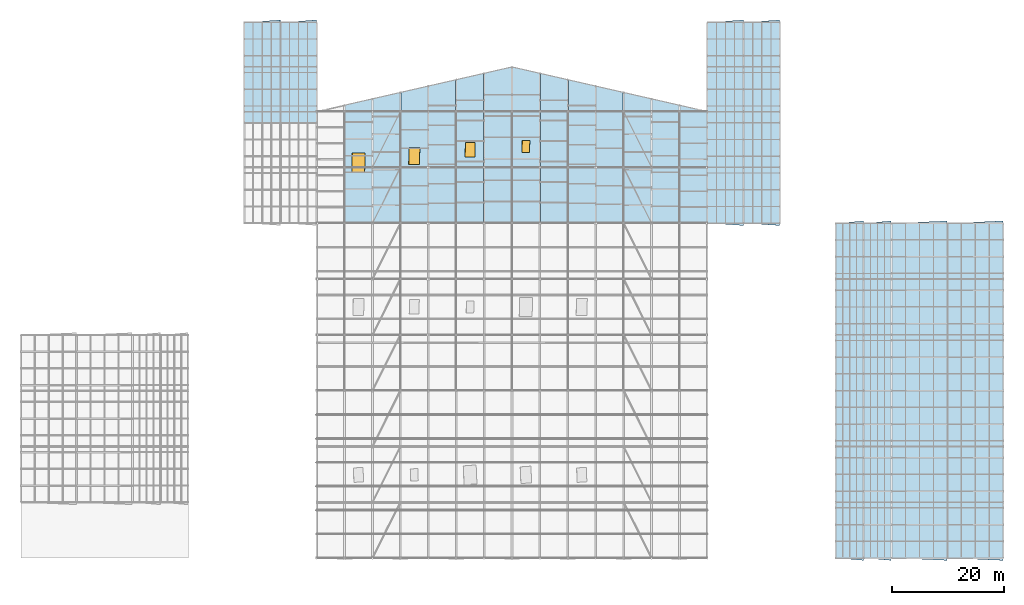
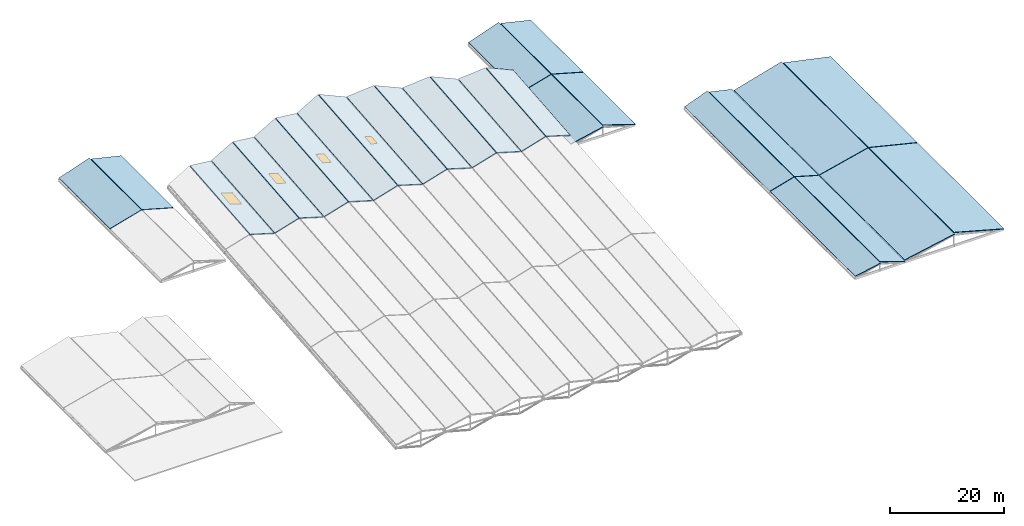
# One storey, part 75 of 90: 27 slabs, 4 windows, 4 openings.
"""IFC4 building model written with IfcOpenShell, lengths in metres."""

from ifc_helpers import new_model, si_unit, direction, frame, origin, origin_2d, place, context, subcontext, project, spatial, polyline, rectangle, outline, extrude, material, layer, layer_set, type_object, element, fill, save


model = new_model("IFC4")

# Units and contexts
model_context = context("Model", 3, precision=1e-05, world=origin(), true_north=direction((0.0, 1.0)))
body_context = subcontext(model_context, "Body", "Model", "MODEL_VIEW")
ifc_project = project(units=[si_unit("LENGTHUNIT", "METRE"), si_unit("AREAUNIT", "SQUARE_METRE"), si_unit("VOLUMEUNIT", "CUBIC_METRE"), si_unit("PLANEANGLEUNIT", "RADIAN"), si_unit("MASSUNIT", "GRAM", prefix="KILO"), si_unit("THERMODYNAMICTEMPERATUREUNIT", "KELVIN"), si_unit("POWERUNIT", "WATT")], contexts=[model_context])

# Site, building, storey
site_placement = place(None, origin())
site = spatial("IfcSite", under=ifc_project, at=site_placement, CompositionType="ELEMENT")
building_placement = place(site_placement, origin())
building = spatial("IfcBuilding", under=site, at=building_placement, Name="Korenveer Ferry Terminal", CompositionType="ELEMENT")
storey_placement = place(building_placement, frame((0.0, 0.0, 22.199951171875)))
storey = spatial("IfcBuildingStorey", under=building, at=storey_placement, Name="RF", CompositionType="ELEMENT", Elevation=22.199951171875)

# Slab, opening, window
ifc_material_1 = material(Name="Concrete C35/45", Category="concrete")
ifc_layer_1 = layer(ifc_material_1, 0.239990234375)
ifc_layer_set_1 = layer_set([ifc_layer_1], Name="Concrete C35/45")
slab_type_1 = type_object("IfcSlabType", Name="STR-SL-ROOF240", PredefinedType="ROOF", material=ifc_layer_set_1)
slab_1_placement = place(storey_placement, frame((58.080078125, 80.050048828125, -3.761962890625), z_axis=(0.287989825201, -0.086599278704, 0.953709822487), x_axis=(0.957306227117, 8.50172e-07, -0.289075747032)))
slab_1 = element("IfcSlab", 1, at=slab_1_placement, inside=storey, type_object=slab_type_1, Name="Folded prow roof facet RF-PROW-006", PredefinedType="ROOF", context=body_context, shape_type="SweptSolid", body=[
    extrude(outline(polyline([(0.0, 0.0), (5.055675309595425, -2.7755575615628914e-17), (4.472531869569035, 22.301061406232034), (-0.5541380005977825, 21.19069741929465), (0.0, 0.0)])), origin(), (0.0, 0.0, -1.0), 0.239990234375),
])
opening_1_placement = place(slab_1_placement, frame((2.243408203125, 10.872802734375, 0.010009765625)))
opening_1 = element("IfcOpeningElement", 2, at=opening_1_placement, cuts=slab_1, Name="Opening SK-04", PredefinedType="OPENING", context=body_context, shape_type="SweptSolid", body=[
    extrude(rectangle(XDim=2.39990234375, YDim=3.39990234375, at=origin_2d()), origin(), (0.0, 0.0, -1.0), 0.260009765625),
])
ifc_material_2 = material(Name="Insulated laminated roof skylight glazing", Category="glass")
window_type_1 = type_object("IfcWindowType", Name="ENV-SKY-04", PartitioningType="SINGLE_PANEL", PredefinedType="SKYLIGHT", material=ifc_material_2)
window_1_placement = place(slab_1_placement, frame((2.243408203125, 10.872802734375, -0.010009765625)))
window_1 = element("IfcWindow", 3, at=window_1_placement, inside=storey, type_object=window_type_1, Name="Folded roof clerestory skylight 3", OverallHeight=3.39990234375, OverallWidth=2.39990234375, PartitioningType="SINGLE_PANEL", PredefinedType="SKYLIGHT", context=body_context, shape_type="SweptSolid", body=[
    extrude(rectangle(XDim=2.39990234375, YDim=3.39990234375, at=origin_2d()), origin(), (0.0, 0.0, -1.0), 0.06005859375),
])
fill(opening_1, window_1)

# Slab
slab_2_placement = place(storey_placement, frame((63.080078125, 80.050048828125, -5.223388671875), z_axis=(-0.287969134829, -0.086598908662, 0.953716103672), x_axis=(0.957312454028, 1.022339e-06, 0.289055125126)))
element("IfcSlab", 4, at=slab_2_placement, inside=storey, type_object=slab_type_1, Name="Folded prow roof facet RF-PROW-011", PredefinedType="ROOF", context=body_context, shape_type="SweptSolid", body=[
    extrude(outline(polyline([(0.0, 0.0), (5.055675309486755, 1.3877787807814457e-17), (5.668812210989073, 23.448435490589546), (0.5841314596893544, 22.337828280163823), (0.0, 0.0)])), origin(), (0.0, 0.0, -1.0), 0.239990234375),
])

# Slab, opening, window
slab_3_placement = place(storey_placement, frame((68.080078125, 80.050048828125, -3.761962890625), z_axis=(0.287991720432, -0.086597888566, 0.953709376413), x_axis=(0.957305667474, 1.018441e-06, -0.289077600345)))
slab_3 = element("IfcSlab", 5, at=slab_3_placement, inside=storey, type_object=slab_type_1, Name="Folded prow roof facet RF-PROW-012", PredefinedType="ROOF", context=body_context, shape_type="SweptSolid", body=[
    extrude(outline(polyline([(0.0, 0.0), (5.055675309489428, -1.3877787807814457e-17), (4.412544949119782, 24.59556635154667), (-0.614124921364416, 23.48495914099895), (0.0, 0.0)])), origin(), (0.0, 0.0, -1.0), 0.239990234375),
])
opening_2_placement = place(slab_3_placement, frame((2.213623046875, 12.02001953125, 0.010009765625)))
opening_2 = element("IfcOpeningElement", 6, at=opening_2_placement, cuts=slab_3, Name="Opening SK-03", PredefinedType="OPENING", context=body_context, shape_type="SweptSolid", body=[
    extrude(rectangle(XDim=2.0, YDim=3.0, at=origin_2d()), origin(), (0.0, 0.0, -1.0), 0.260009765625),
])
window_type_2 = type_object("IfcWindowType", Name="ENV-SKY-03", PartitioningType="SINGLE_PANEL", PredefinedType="SKYLIGHT", material=ifc_material_2)
window_2_placement = place(slab_3_placement, frame((2.213623046875, 12.02001953125, -0.010009765625)))
window_2 = element("IfcWindow", 7, at=window_2_placement, inside=storey, type_object=window_type_2, Name="Folded roof clerestory skylight 6", OverallHeight=3.0, OverallWidth=2.0, PartitioningType="SINGLE_PANEL", PredefinedType="SKYLIGHT", context=body_context, shape_type="SweptSolid", body=[
    extrude(rectangle(XDim=2.0, YDim=3.0, at=origin_2d()), origin(), (0.0, 0.0, -1.0), 0.06005859375),
])
fill(opening_2, window_2)

# Slab
slab_4_placement = place(storey_placement, frame((73.080078125, 80.050048828125, -5.223388671875), z_axis=(-0.287969236205, -0.086598131064, 0.953716143669), x_axis=(0.957312429411, 1.014927e-06, 0.289055206655)))
element("IfcSlab", 8, at=slab_4_placement, inside=storey, type_object=slab_type_1, Name="Folded prow roof facet RF-PROW-017", PredefinedType="ROOF", context=body_context, shape_type="SweptSolid", body=[
    extrude(outline(polyline([(0.0, 0.0), (5.055675309491839, 0.0), (5.728799131526367, 25.742697212431974), (0.6441183802419287, 24.632090001913152), (0.0, 0.0)])), origin(), (0.0, 0.0, -1.0), 0.239990234375),
])

# Slab, opening, window
slab_5_placement = place(storey_placement, frame((78.080078125, 80.050048828125, -3.761962890625), z_axis=(0.287989628411, -0.086596840109, 0.953710103339), x_axis=(0.957306304751, 8.26804e-07, -0.289075489939)))
slab_5 = element("IfcSlab", 9, at=slab_5_placement, inside=storey, type_object=slab_type_1, Name="Folded prow roof facet RF-PROW-018", PredefinedType="ROOF", context=body_context, shape_type="SweptSolid", body=[
    extrude(outline(polyline([(0.0, 0.0), (5.0556753096086195, 1.3877787807814457e-17), (4.352558028474142, 26.88982807340707), (-0.6741118416531612, 25.77946408623073), (0.0, 0.0)])), origin(), (0.0, 0.0, -1.0), 0.239990234375),
])
opening_3_placement = place(slab_5_placement, frame((2.18359375, 13.16748046875, 0.010009765625)))
opening_3 = element("IfcOpeningElement", 10, at=opening_3_placement, cuts=slab_5, Name="Opening SK-02", PredefinedType="OPENING", context=body_context, shape_type="SweptSolid", body=[
    extrude(rectangle(XDim=1.800048828125, YDim=2.60009765625, at=origin_2d()), origin(), (0.0, 0.0, -1.0), 0.260009765625),
])
window_type_3 = type_object("IfcWindowType", Name="ENV-SKY-02", PartitioningType="SINGLE_PANEL", PredefinedType="SKYLIGHT", material=ifc_material_2)
window_3_placement = place(slab_5_placement, frame((2.18359375, 13.16748046875, -0.010009765625)))
window_3 = element("IfcWindow", 11, at=window_3_placement, inside=storey, type_object=window_type_3, Name="Folded roof clerestory skylight 9", OverallHeight=2.60009765625, OverallWidth=1.800048828125, PartitioningType="SINGLE_PANEL", PredefinedType="SKYLIGHT", context=body_context, shape_type="SweptSolid", body=[
    extrude(rectangle(XDim=1.800048828125, YDim=2.60009765625, at=origin_2d()), origin(), (0.0, 0.0, -1.0), 0.06005859375),
])
fill(opening_3, window_3)

# Slab
slab_6_placement = place(storey_placement, frame((83.080078125, 80.050048828125, -5.223388671875), z_axis=(-0.28797137378, -0.086597044523, 0.953715596896), x_axis=(0.957311794617, 8.24022e-07, 0.289057308999)))
element("IfcSlab", 12, at=slab_6_placement, inside=storey, type_object=slab_type_1, Name="Folded prow roof facet RF-PROW-023", PredefinedType="ROOF", context=body_context, shape_type="SweptSolid", body=[
    extrude(outline(polyline([(0.0, 0.0), (5.055675309610169, 0.0), (5.788786051933871, 28.036958934306064), (0.7041053010051046, 26.926594947149496), (0.0, 0.0)])), origin(), (0.0, 0.0, -1.0), 0.239990234375),
])

# Slab, opening, window
slab_7_placement = place(storey_placement, frame((88.080078125, 80.050048828125, -3.761962890625), z_axis=(0.28797137378, -0.086597044523, 0.953715596896), x_axis=(0.957311794617, -8.24022e-07, -0.289057308999)))
slab_7 = element("IfcSlab", 13, at=slab_7_placement, inside=storey, type_object=slab_type_1, Name="Folded prow roof facet RF-PROW-024", PredefinedType="ROOF", context=body_context, shape_type="SweptSolid", body=[
    extrude(outline(polyline([(0.0, 0.0), (5.055675309610169, 0.0), (4.351570008605065, 26.926594947149496), (-0.7331107423237022, 28.036958934306064), (0.0, 0.0)])), origin(), (0.0, 0.0, -1.0), 0.239990234375),
])
opening_4_placement = place(slab_7_placement, frame((2.16845703125, 13.740478515625, 0.010009765625)))
opening_4 = element("IfcOpeningElement", 14, at=opening_4_placement, cuts=slab_7, Name="Opening SK-01", PredefinedType="OPENING", context=body_context, shape_type="SweptSolid", body=[
    extrude(rectangle(XDim=1.39990234375, YDim=2.199951171875, at=origin_2d()), origin(), (0.0, 0.0, -1.0), 0.260009765625),
])
window_type_4 = type_object("IfcWindowType", Name="ENV-SKY-01", PartitioningType="SINGLE_PANEL", PredefinedType="SKYLIGHT", material=ifc_material_2)
window_4_placement = place(slab_7_placement, frame((2.16845703125, 13.740478515625, -0.010009765625)))
window_4 = element("IfcWindow", 15, at=window_4_placement, inside=storey, type_object=window_type_4, Name="Folded roof clerestory skylight 12", OverallHeight=2.199951171875, OverallWidth=1.39990234375, PartitioningType="SINGLE_PANEL", PredefinedType="SKYLIGHT", context=body_context, shape_type="SweptSolid", body=[
    extrude(rectangle(XDim=1.39990234375, YDim=2.199951171875, at=origin_2d()), origin(), (0.0, 0.0, -1.0), 0.06005859375),
])
fill(opening_4, window_4)

# Slabs
slab_8_placement = place(storey_placement, frame((93.080078125, 80.050048828125, -5.223388671875), z_axis=(-0.287989628411, -0.086596840109, 0.953710103339), x_axis=(0.957306304751, -8.26804e-07, 0.289075489939)))
element("IfcSlab", 16, at=slab_8_placement, inside=storey, type_object=slab_type_1, Name="Folded prow roof facet RF-PROW-029", PredefinedType="ROOF", context=body_context, shape_type="SweptSolid", body=[
    extrude(outline(polyline([(0.0, 0.0), (5.0556753096086195, -1.3877787807814457e-17), (5.729787151261781, 25.77946408623073), (0.7031172811344775, 26.889828073407074), (0.0, 0.0)])), origin(), (0.0, 0.0, -1.0), 0.239990234375),
])
slab_9_placement = place(storey_placement, frame((98.080078125, 80.050048828125, -3.761962890625), z_axis=(0.287969236205, -0.086598131064, 0.953716143669), x_axis=(0.957312429411, -1.014927e-06, -0.289055206655)))
element("IfcSlab", 17, at=slab_9_placement, inside=storey, type_object=slab_type_1, Name="Folded prow roof facet RF-PROW-030", PredefinedType="ROOF", context=body_context, shape_type="SweptSolid", body=[
    extrude(outline(polyline([(0.0, 0.0), (5.055675309491839, 0.0), (4.411556929249911, 24.632090001913152), (-0.6731238220345284, 25.742697212431974), (0.0, 0.0)])), origin(), (0.0, 0.0, -1.0), 0.239990234375),
])
slab_10_placement = place(storey_placement, frame((103.080078125, 80.050048828125, -5.223388671875), z_axis=(-0.287991720432, -0.086597888566, 0.953709376413), x_axis=(0.957305667474, -1.018441e-06, 0.289077600345)))
element("IfcSlab", 18, at=slab_10_placement, inside=storey, type_object=slab_type_1, Name="Folded prow roof facet RF-PROW-035", PredefinedType="ROOF", context=body_context, shape_type="SweptSolid", body=[
    extrude(outline(polyline([(0.0, 0.0), (5.055675309489428, 1.3877787807814457e-17), (5.669800230853844, 23.48495914099895), (0.6431303603696464, 24.59556635154667), (0.0, 0.0)])), origin(), (0.0, 0.0, -1.0), 0.239990234375),
])
slab_11_placement = place(storey_placement, frame((108.080078125, 80.050048828125, -3.761962890625), z_axis=(0.287969134829, -0.086598908662, 0.953716103672), x_axis=(0.957312454028, -1.022339e-06, -0.289055125126)))
element("IfcSlab", 19, at=slab_11_placement, inside=storey, type_object=slab_type_1, Name="Folded prow roof facet RF-PROW-036", PredefinedType="ROOF", context=body_context, shape_type="SweptSolid", body=[
    extrude(outline(polyline([(0.0, 0.0), (5.055675309486755, -1.3877787807814457e-17), (4.471543849797401, 22.337828280163823), (-0.6131369015023181, 23.448435490589542), (0.0, 0.0)])), origin(), (0.0, 0.0, -1.0), 0.239990234375),
])
slab_12_placement = place(storey_placement, frame((113.080078125, 80.050048828125, -5.223388671875), z_axis=(-0.287989825201, -0.086599278704, 0.953709822487), x_axis=(0.957306227117, -8.50172e-07, 0.289075747032)))
element("IfcSlab", 20, at=slab_12_placement, inside=storey, type_object=slab_type_1, Name="Folded prow roof facet RF-PROW-041", PredefinedType="ROOF", context=body_context, shape_type="SweptSolid", body=[
    extrude(outline(polyline([(0.0, 0.0), (5.055675309595425, 2.7755575615628914e-17), (5.609813310193207, 21.19069741929465), (0.5831434400263901, 22.301061406232034), (0.0, 0.0)])), origin(), (0.0, 0.0, -1.0), 0.239990234375),
])
slab_13_placement = place(storey_placement, frame((118.080078125, 80.050048828125, -3.761962890625), z_axis=(0.287970947123, -0.086600317744, 0.953715428511), x_axis=(0.957311898219, -8.55209e-07, -0.289056965886)))
element("IfcSlab", 21, at=slab_13_placement, inside=storey, type_object=slab_type_1, Name="Folded prow roof facet RF-PROW-042", PredefinedType="ROOF", context=body_context, shape_type="SweptSolid", body=[
    extrude(outline(polyline([(0.0, 0.0), (5.0556753095925355, -2.7755575615628914e-17), (4.531530770245642, 20.04356655846498), (-0.5531499807361304, 21.153930545298525), (0.0, 0.0)])), origin(), (0.0, 0.0, -1.0), 0.239990234375),
])
ifc_layer_2 = layer(ifc_material_1, 0.159912109375)
ifc_layer_set_2 = layer_set([ifc_layer_2], Name="Concrete C35/45")
slab_type_2 = type_object("IfcSlabType", Name="STR-SL-WING160", PredefinedType="ROOF", material=ifc_layer_set_2)
for number, where, z_axis, x_axis, name in (
    (22, (156.06005859375, 20.0400390625, -7.159912109375), (-0.236043974028, 0.0, 0.971742374462), (0.970792178337, -0.044211969573, 0.23581316381), "Pitched wing roof EAST 1.1"),
    (23, (166.06005859375, 20.0400390625, -4.760009765625), (0.236043974028, 0.0, 0.971742374462), (0.970792178337, -0.044211969573, -0.23581316381), "Pitched wing roof EAST 1.2"),
):
    element("IfcSlab", number, at=place(storey_placement, frame(where, z_axis=z_axis, x_axis=x_axis)), inside=storey, type_object=slab_type_2, Name=name, PredefinedType="ROOF", context=body_context, shape_type="SweptSolid", body=[
        extrude(outline(polyline([(0.0, 0.0), (10.177134749296648, 3.469446951953614e-17), (8.834422846215991, 30.340176558956113), (-1.3228186755604376, 29.890665361575543), (0.0, 0.0)])), origin(), (0.0, 0.0, -1.0), 0.159912109375),
    ])
for number, where, z_axis, x_axis, name in (
    (24, (156.06005859375, 50.0400390625, -7.159912109375), (-0.236043974028, 0.0, 0.971742374462), (0.971742374462, 0.0, 0.236043974028), "Pitched wing roof EAST 2.1"),
    (25, (166.06005859375, 50.0400390625, -4.760009765625), (0.236043974028, 0.0, 0.971742374462), (0.971742374462, 0.0, -0.236043974028), "Pitched wing roof EAST 2.2"),
):
    element("IfcSlab", number, at=place(storey_placement, frame(where, z_axis=z_axis, x_axis=x_axis)), inside=storey, type_object=slab_type_2, Name=name, PredefinedType="ROOF", context=body_context, shape_type="SweptSolid", body=[
        extrude(outline(polyline([(0.0, 0.0), (10.167183270123033, 0.0), (10.167183270123033, 30.369873046875), (0.0, 29.919921875), (0.0, 0.0)])), origin(), (0.0, 0.0, -1.0), 0.159912109375),
    ])
for number, where, z_axis, x_axis, name in (
    (26, (146.06005859375, 20.0400390625, -7.159912109375), (-0.275749922073, 0.0, 0.961229410951), (0.957476107686, -0.08828439396, 0.274673203996), "Pitched wing roof EASTC 1.1"),
    (27, (151.06005859375, 20.0400390625, -5.760009765625), (0.275749922073, 0.0, 0.961229410951), (0.957476107686, -0.08828439396, -0.274673203996), "Pitched wing roof EASTC 1.2"),
):
    element("IfcSlab", number, at=place(storey_placement, frame(where, z_axis=z_axis, x_axis=x_axis)), inside=storey, type_object=slab_type_2, Name=name, PredefinedType="ROOF", context=body_context, shape_type="SweptSolid", body=[
        extrude(outline(polyline([(0.0, 0.0), (5.096610529836603, 6.938893903907228e-17), (2.4154246932617056, 30.25128809477465), (-2.6414621700544787, 29.803093842926348), (0.0, 0.0)])), origin(), (0.0, 0.0, -1.0), 0.159912109375),
    ])
for number, where, z_axis, x_axis, name in (
    (28, (146.06005859375, 50.0400390625, -7.159912109375), (-0.275749922073, 0.0, 0.961229410951), (0.961229410951, 0.0, 0.275749922073), "Pitched wing roof EASTC 2.1"),
    (29, (151.06005859375, 50.0400390625, -5.760009765625), (0.275749922073, 0.0, 0.961229410951), (0.961229410951, 0.0, -0.275749922073), "Pitched wing roof EASTC 2.2"),
):
    element("IfcSlab", number, at=place(storey_placement, frame(where, z_axis=z_axis, x_axis=x_axis)), inside=storey, type_object=slab_type_2, Name=name, PredefinedType="ROOF", context=body_context, shape_type="SweptSolid", body=[
        extrude(outline(polyline([(0.0, 0.0), (5.076709843566959, 0.0), (5.076709843566959, 30.369873046874993), (0.0, 29.919921874999993), (0.0, 0.0)])), origin(), (0.0, 0.0, -1.0), 0.159912109375),
    ])
for number, where, z_axis, x_axis, name in (
    (30, (40.06005859375, 98.0400390625, -7.159912109375), (-0.271543265701, 0.0, 0.96242623346), (0.96242623346, 0.0, 0.271543265701), "Pitched wing roof PIERW 2.1"),
    (31, (46.56005859375, 98.0400390625, -5.35986328125), (0.271543265701, 0.0, 0.96242623346), (0.96242623346, 0.0, -0.271543265701), "Pitched wing roof PIERW 2.2"),
):
    element("IfcSlab", number, at=place(storey_placement, frame(where, z_axis=z_axis, x_axis=x_axis)), inside=storey, type_object=slab_type_2, Name=name, PredefinedType="ROOF", context=body_context, shape_type="SweptSolid", body=[
        extrude(outline(polyline([(0.0, 0.0), (6.628957722362325, 0.0), (6.628957722362325, 18.369873046875), (0.0, 17.919921875), (0.0, 0.0)])), origin(), (0.0, 0.0, -1.0), 0.159912109375),
    ])
for number, where, z_axis, x_axis, name in (
    (32, (123.06005859375, 80.0400390625, -7.159912109375), (-0.271543265701, 0.0, 0.96242623346), (0.960216803595, -0.06772078559, 0.270919887223), "Pitched wing roof PIERE 1.1"),
    (33, (129.56005859375, 80.0400390625, -5.35986328125), (0.271543265701, 0.0, 0.96242623346), (0.960216803595, -0.06772078559, -0.270919887223), "Pitched wing roof PIERE 1.2"),
):
    element("IfcSlab", number, at=place(storey_placement, frame(where, z_axis=z_axis, x_axis=x_axis)), inside=storey, type_object=slab_type_2, Name=name, PredefinedType="ROOF", context=body_context, shape_type="SweptSolid", body=[
        extrude(outline(polyline([(0.0, 0.0), (6.644210753877301, -2.0816681711721685e-17), (5.4001885199629225, 18.327701559110768), (-1.2135511870780729, 17.878783334512583), (0.0, 0.0)])), origin(), (0.0, 0.0, -1.0), 0.159912109375),
    ])
for number, where, z_axis, x_axis, name in (
    (34, (123.06005859375, 98.0400390625, -7.159912109375), (-0.271543265701, 0.0, 0.96242623346), (0.96242623346, 0.0, 0.271543265701), "Pitched wing roof PIERE 2.1"),
    (35, (129.56005859375, 98.0400390625, -5.35986328125), (0.271543265701, 0.0, 0.96242623346), (0.96242623346, 0.0, -0.271543265701), "Pitched wing roof PIERE 2.2"),
):
    element("IfcSlab", number, at=place(storey_placement, frame(where, z_axis=z_axis, x_axis=x_axis)), inside=storey, type_object=slab_type_2, Name=name, PredefinedType="ROOF", context=body_context, shape_type="SweptSolid", body=[
        extrude(outline(polyline([(0.0, 0.0), (6.628957722362325, 0.0), (6.628957722362325, 18.369873046875), (0.0, 17.919921875), (0.0, 0.0)])), origin(), (0.0, 0.0, -1.0), 0.159912109375),
    ])

save(model, "model.ifc")
